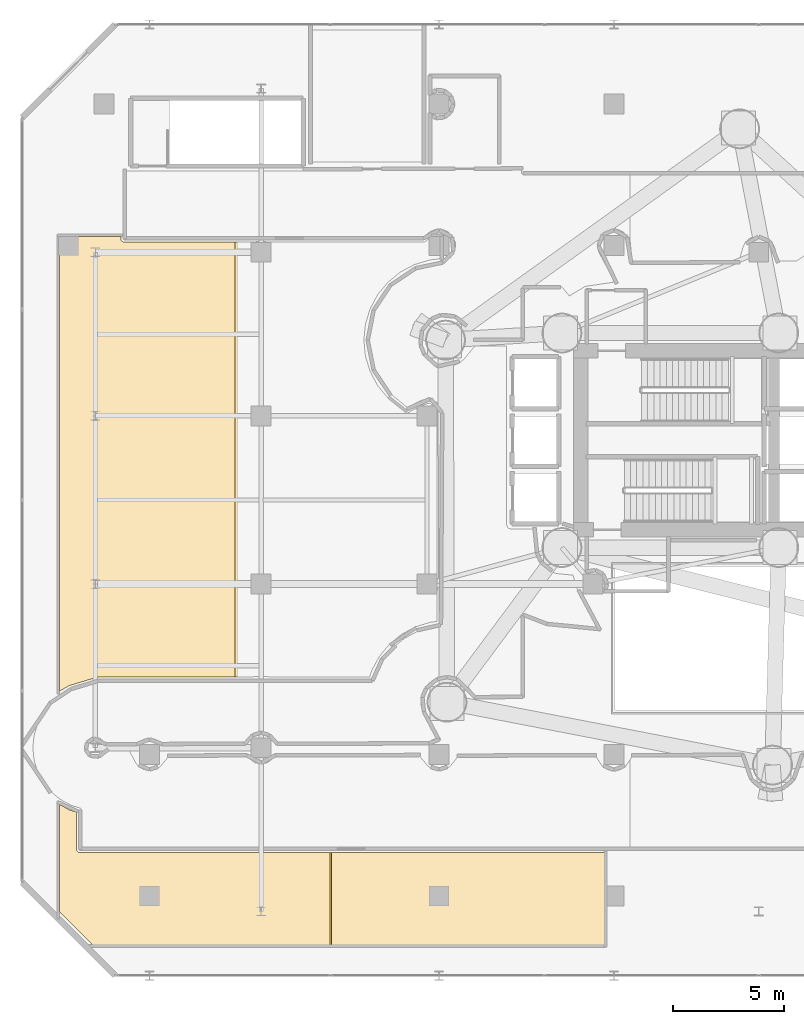
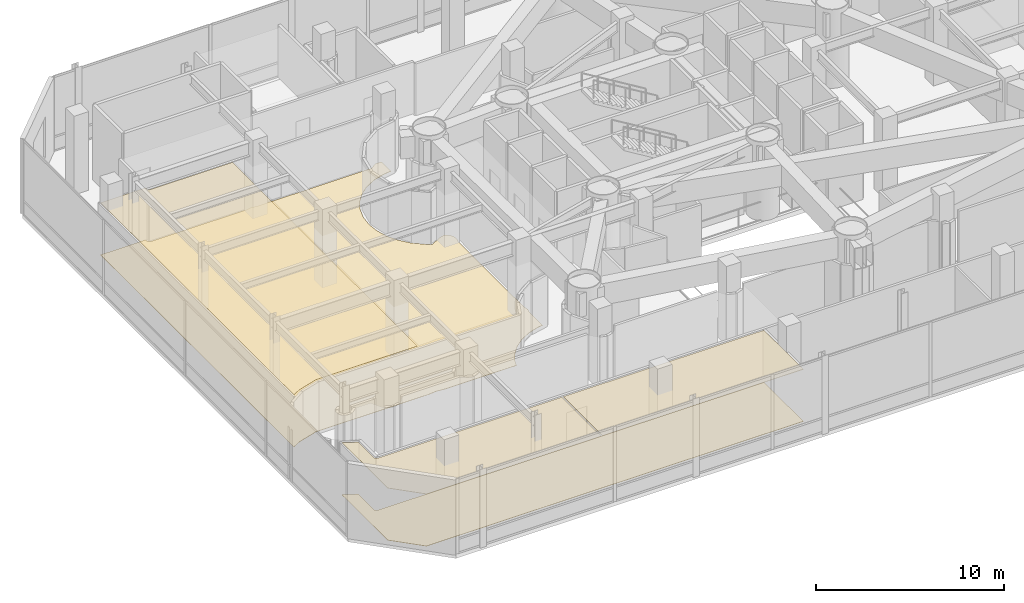
# One storey, part 35 of 40: 5 coverings.
"""IFC4 building model written with IfcOpenShell, lengths in metres."""

from ifc_helpers import new_model, si_unit, direction, frame, origin, place, context, subcontext, project, spatial, polyline, outline, extrude, material, layer, layer_set, type_object, element, save


model = new_model("IFC4")

# Units and contexts
model_context = context("Model", 3, precision=1e-05, world=origin(), true_north=direction((0.0, 1.0)))
body_context = subcontext(model_context, "Body", "Model", "MODEL_VIEW")
ifc_project = project(units=[si_unit("LENGTHUNIT", "METRE"), si_unit("AREAUNIT", "SQUARE_METRE"), si_unit("VOLUMEUNIT", "CUBIC_METRE"), si_unit("PLANEANGLEUNIT", "RADIAN"), si_unit("MASSUNIT", "GRAM", prefix="KILO")], contexts=[model_context])

# Site, building, storey
site_placement = place(None, origin())
site = spatial("IfcSite", under=ifc_project, at=site_placement, CompositionType="ELEMENT")
building_placement = place(site_placement, origin())
building = spatial("IfcBuilding", under=site, at=building_placement, Name="Qianvela Tower", CompositionType="ELEMENT")
storey_placement = place(building_placement, frame((0.0, 0.0, 20.60009765625)))
storey = spatial("IfcBuildingStorey", under=building, at=storey_placement, Name="L04", CompositionType="ELEMENT", Elevation=20.60009765625)

# Coverings
ifc_material_1 = material(Name="Perforated Mineral Acoustic Ceiling Tile")
ifc_layer_1 = layer(ifc_material_1, 0.02490234375)
ifc_layer_set_1 = layer_set([ifc_layer_1], Name="Perforated Mineral Acoustic Ceiling Tile")
covering_type_1 = type_object("IfcCoveringType", Name="COV-CEIL-ACOUSTIC-25", PredefinedType="CEILING", material=ifc_layer_set_1)
covering_1_placement = place(storey_placement, frame((0.0, 0.0, 3.375)))
element("IfcCovering", 1, at=covering_1_placement, inside=storey, type_object=covering_type_1, Name="L04 Acoustic Ceiling Bay 1 L04 Student Fitness and Wellness Hall", PredefinedType="CEILING", context=body_context, shape_type="SweptSolid", body=[
    extrude(outline(polyline([(7.3876953125, 5.8798828125), (5.8798828125, 7.3876953125), (5.8798828125, 12.244873046875), (6.327392578125, 11.99365234375), (6.335205078125, 11.989990234375), (6.34326171875, 11.98681640625), (6.657958984375, 11.89111328125), (6.657958984375, 10.199951171875), (6.658203125, 10.192626953125), (6.659423828125, 10.185302734375), (6.660888671875, 10.17822265625), (6.663330078125, 10.171142578125), (6.666259765625, 10.16455078125), (6.669921875, 10.157958984375), (6.674072265625, 10.152099609375), (6.6787109375, 10.146240234375), (6.734619140625, 10.084716796875), (6.740478515625, 10.07861328125), (6.7470703125, 10.073486328125), (6.754150390625, 10.06884765625), (6.761474609375, 10.065185546875), (6.769287109375, 10.062255859375), (6.77734375, 10.06005859375), (6.78564453125, 10.05859375), (6.7939453125, 10.058349609375), (18.110595703125, 10.05810546875), (18.110595703125, 5.8798828125), (7.3876953125, 5.8798828125)])), origin(), (0.0, 0.0, 1.0), 0.02490234375),
])
covering_2_placement = place(storey_placement, frame((0.0, 0.0, 3.375)))
element("IfcCovering", 2, at=covering_2_placement, inside=storey, type_object=covering_type_1, Name="L04 Acoustic Ceiling Bay 2 L04 Student Fitness and Wellness Hall", PredefinedType="CEILING", context=body_context, shape_type="SweptSolid", body=[
    extrude(outline(polyline([(18.190673828125, 5.8798828125), (18.190673828125, 10.05810546875), (30.52001953125, 10.05810546875), (30.52001953125, 5.8798828125), (18.190673828125, 5.8798828125)])), origin(), (0.0, 0.0, 1.0), 0.02490234375),
])
covering_3_placement = place(storey_placement, frame((0.0, 0.0, 3.375)))
element("IfcCovering", 3, at=covering_3_placement, inside=storey, type_object=covering_type_1, Name="L04 Acoustic Ceiling Bay 1 L04 Music and Media Practice Lounge", PredefinedType="CEILING", context=body_context, shape_type="SweptSolid", body=[
    extrude(outline(polyline([(7.6123046875, 17.991943359375), (7.6044921875, 17.99169921875), (7.596923828125, 17.990478515625), (7.58935546875, 17.988525390625), (6.343505859375, 17.613037109375), (6.335205078125, 17.610107421875), (6.327392578125, 17.606201171875), (5.8798828125, 17.355224609375), (5.8798828125, 37.919921875), (8.658447265625, 37.919921875), (8.6591796875, 37.78759765625), (8.65966796875, 37.77978515625), (8.660888671875, 37.77197265625), (8.66259765625, 37.764404296875), (8.665283203125, 37.757080078125), (8.668701171875, 37.75), (8.6728515625, 37.743408203125), (8.677490234375, 37.737060546875), (8.6826171875, 37.731201171875), (8.6884765625, 37.72607421875), (8.749267578125, 37.67626953125), (8.755615234375, 37.67138671875), (8.76220703125, 37.66748046875), (8.769287109375, 37.6640625), (8.77685546875, 37.661376953125), (8.784423828125, 37.659423828125), (8.792236328125, 37.658447265625), (8.800048828125, 37.657958984375), (13.82763671875, 37.657958984375), (13.82763671875, 17.991943359375), (7.6123046875, 17.991943359375)])), origin(), (0.0, 0.0, 1.0), 0.02490234375),
])
ifc_material_2 = material(Name="Engineered Acoustic Oak Timber Flooring", Category="wood")
ifc_layer_2 = layer(ifc_material_2, 0.02001953125)
ifc_layer_set_2 = layer_set([ifc_layer_2], Name="Engineered Acoustic Oak Timber Flooring")
covering_type_2 = type_object("IfcCoveringType", Name="COV-FLOOR-OAK-20", PredefinedType="FLOORING", material=ifc_layer_set_2)
covering_4_placement = place(storey_placement, origin())
element("IfcCovering", 4, at=covering_4_placement, inside=storey, type_object=covering_type_2, Name="L04 Finish Flooring L04 Student Fitness and Wellness Hall", PredefinedType="FLOORING", context=body_context, shape_type="SweptSolid", body=[
    extrude(outline(polyline([(30.52001953125, 5.8798828125), (7.3876953125, 5.8798828125), (5.8798828125, 7.3876953125), (5.8798828125, 12.244873046875), (6.327392578125, 11.99365234375), (6.335205078125, 11.989990234375), (6.34326171875, 11.98681640625), (6.657958984375, 11.89111328125), (6.657958984375, 10.199951171875), (6.658203125, 10.192626953125), (6.659423828125, 10.185302734375), (6.660888671875, 10.17822265625), (6.663330078125, 10.171142578125), (6.666259765625, 10.16455078125), (6.669921875, 10.157958984375), (6.674072265625, 10.152099609375), (6.6787109375, 10.146240234375), (6.734619140625, 10.084716796875), (6.740478515625, 10.07861328125), (6.7470703125, 10.073486328125), (6.754150390625, 10.06884765625), (6.761474609375, 10.065185546875), (6.769287109375, 10.062255859375), (6.77734375, 10.06005859375), (6.78564453125, 10.05859375), (6.7939453125, 10.058349609375), (30.52001953125, 10.05810546875), (30.52001953125, 5.8798828125)])), origin(), (0.0, 0.0, 1.0), 0.02001953125),
])
covering_5_placement = place(storey_placement, origin())
element("IfcCovering", 5, at=covering_5_placement, inside=storey, type_object=covering_type_2, Name="L04 Finish Flooring L04 Music and Media Practice Lounge", PredefinedType="FLOORING", context=body_context, shape_type="SweptSolid", body=[
    extrude(outline(polyline([(23.1201171875, 36.915283203125), (22.622802734375, 36.849853515625), (22.616455078125, 36.848876953125), (22.610107421875, 36.84716796875), (21.9326171875, 36.6416015625), (21.925048828125, 36.638916015625), (21.91796875, 36.635498046875), (21.293701171875, 36.3017578125), (21.286865234375, 36.2978515625), (21.280517578125, 36.293212890625), (20.733154296875, 35.843994140625), (20.727294921875, 35.838623046875), (20.72216796875, 35.832763671875), (20.27294921875, 35.285400390625), (20.268310546875, 35.279296875), (20.26416015625, 35.2724609375), (19.930419921875, 34.64794921875), (19.927001953125, 34.640869140625), (19.92431640625, 34.633544921875), (19.71875, 33.955810546875), (19.716796875, 33.9482421875), (19.7158203125, 33.9404296875), (19.646484375, 33.23583984375), (19.64599609375, 33.22802734375), (19.646484375, 33.22021484375), (19.7158203125, 32.515380859375), (19.716796875, 32.5078125), (19.71875, 32.5), (19.92431640625, 31.822509765625), (19.927001953125, 31.815185546875), (19.930419921875, 31.80810546875), (20.26416015625, 31.18359375), (20.268310546875, 31.1767578125), (20.27294921875, 31.17041015625), (20.72216796875, 30.623291015625), (20.7275390625, 30.6171875), (20.73388671875, 30.611572265625), (21.55029296875, 29.95458984375), (21.556640625, 29.949951171875), (21.563232421875, 29.946044921875), (21.5703125, 29.94287109375), (21.577392578125, 29.940185546875), (21.5849609375, 29.9384765625), (21.592529296875, 29.937255859375), (21.600341796875, 29.936767578125), (21.60791015625, 29.937255859375), (21.615478515625, 29.938232421875), (21.623046875, 29.940185546875), (21.63037109375, 29.942626953125), (21.63720703125, 29.94580078125), (22.297607421875, 30.287109375), (22.6162109375, 30.383544921875), (22.872802734375, 30.1728515625), (22.93408203125, 30.098388671875), (23.01513671875, 29.902587890625), (23.01513671875, 29.689697265625), (22.961181640625, 29.503173828125), (22.95947265625, 29.495849609375), (22.95849609375, 29.488525390625), (22.9580078125, 29.48095703125), (22.9580078125, 22.51904296875), (22.95849609375, 22.510498046875), (22.959716796875, 22.502197265625), (23.024658203125, 22.199951171875), (22.959716796875, 21.897705078125), (22.95849609375, 21.889404296875), (22.9580078125, 21.881103515625), (22.9580078125, 20.5087890625), (22.69140625, 20.482177734375), (22.68359375, 20.481201171875), (22.676025390625, 20.479248046875), (21.99853515625, 20.273681640625), (21.9912109375, 20.27099609375), (21.98388671875, 20.267578125), (21.359619140625, 19.933837890625), (21.352783203125, 19.9296875), (21.3466796875, 19.925048828125), (20.8037109375, 19.47998046875), (20.7978515625, 19.474609375), (20.79248046875, 19.468994140625), (20.335693359375, 18.912353515625), (20.3310546875, 18.906005859375), (20.326904296875, 18.899169921875), (19.996337890625, 18.27978515625), (19.992919921875, 18.27294921875), (19.990478515625, 18.265380859375), (19.9072265625, 17.991943359375), (15.5146484375, 17.991943359375), (15.0078125, 18.04150390625), (15.0, 18.0419921875), (14.9921875, 18.04150390625), (14.4853515625, 17.991943359375), (7.6123046875, 17.991943359375), (7.6044921875, 17.99169921875), (7.596923828125, 17.990478515625), (7.58935546875, 17.988525390625), (6.343505859375, 17.613037109375), (6.335205078125, 17.610107421875), (6.327392578125, 17.606201171875), (5.8798828125, 17.355224609375), (5.8798828125, 37.919921875), (8.658447265625, 37.919921875), (8.6591796875, 37.78759765625), (8.65966796875, 37.77978515625), (8.660888671875, 37.77197265625), (8.66259765625, 37.764404296875), (8.665283203125, 37.757080078125), (8.668701171875, 37.75), (8.6728515625, 37.743408203125), (8.677490234375, 37.737060546875), (8.6826171875, 37.731201171875), (8.6884765625, 37.72607421875), (8.749267578125, 37.67626953125), (8.755615234375, 37.67138671875), (8.76220703125, 37.66748046875), (8.769287109375, 37.6640625), (8.77685546875, 37.661376953125), (8.784423828125, 37.659423828125), (8.792236328125, 37.658447265625), (8.800048828125, 37.657958984375), (14.680908203125, 37.657958984375), (14.689453125, 37.658447265625), (14.69775390625, 37.659912109375), (15.0, 37.724609375), (15.30224609375, 37.659912109375), (15.310546875, 37.658447265625), (15.319091796875, 37.657958984375), (22.359130859375, 37.657958984375), (22.36669921875, 37.658203125), (22.3740234375, 37.659423828125), (22.38134765625, 37.6611328125), (22.38818359375, 37.66357421875), (22.395263671875, 37.66650390625), (22.401611328125, 37.67041015625), (22.40771484375, 37.674560546875), (22.727783203125, 37.919921875), (23.1201171875, 37.919921875), (23.1201171875, 36.915283203125)])), origin(), (0.0, 0.0, 1.0), 0.02001953125),
])

save(model, "model.ifc")
